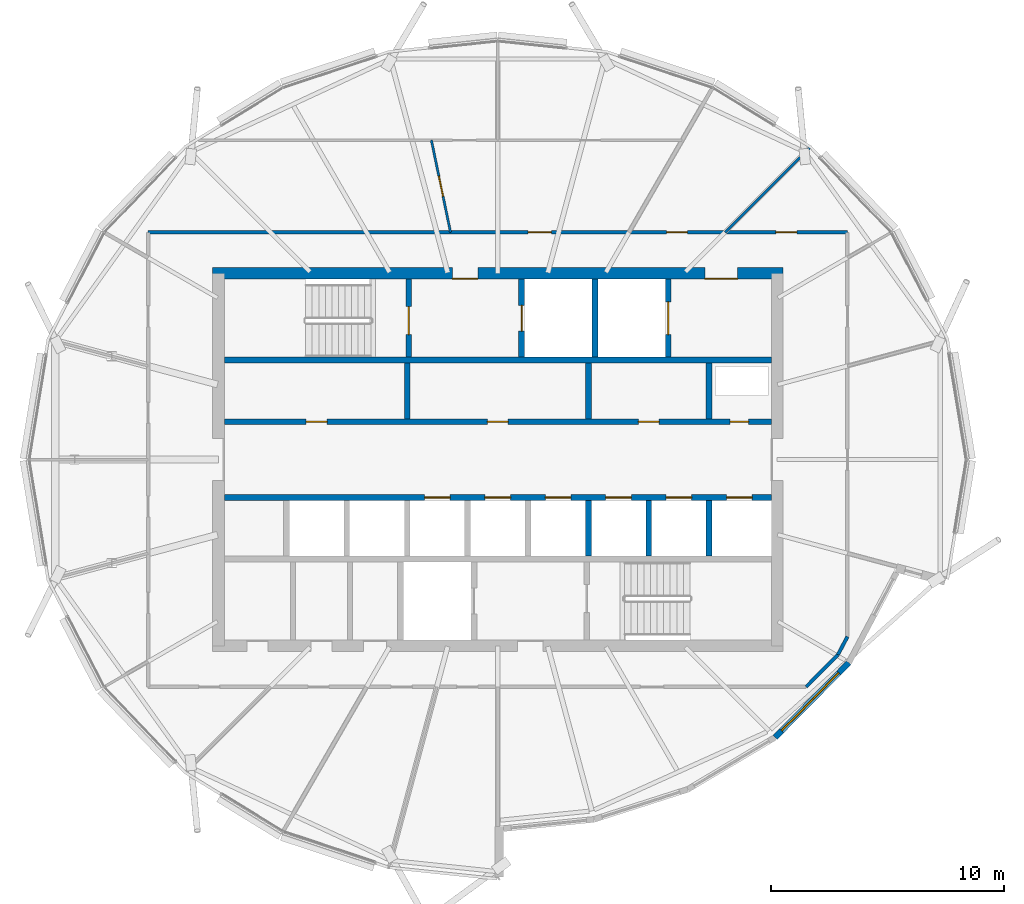
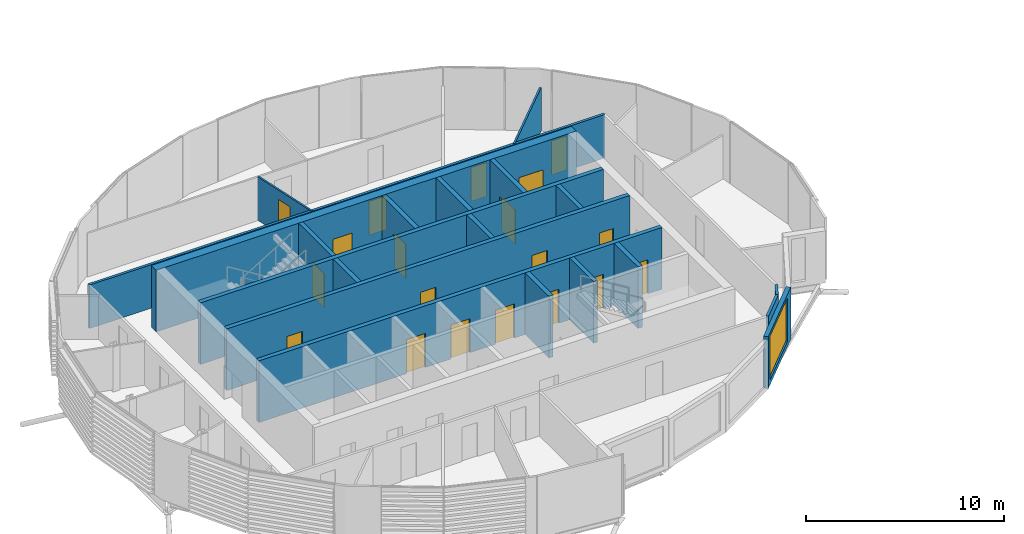
# One storey, part 17 of 34: 20 walls, 19 doors, 1 window, 20 openings.
"""IFC4 building model written with IfcOpenShell, lengths in metres."""

from ifc_helpers import new_model, si_unit, direction, frame, frame_2d, origin, place, context, subcontext, project, spatial, rectangle, extrude, material, layer, layer_set, type_object, element, fill, save


model = new_model("IFC4")

# Units and contexts
model_context = context("Model", 3, precision=1e-05, world=origin(), true_north=direction((0.0, 1.0)))
body_context = subcontext(model_context, "Body", "Model", "MODEL_VIEW")
ifc_project = project(units=[si_unit("LENGTHUNIT", "METRE"), si_unit("AREAUNIT", "SQUARE_METRE"), si_unit("VOLUMEUNIT", "CUBIC_METRE"), si_unit("PLANEANGLEUNIT", "RADIAN"), si_unit("MASSUNIT", "GRAM", prefix="KILO")], contexts=[model_context])

# Site, building, storey
site_placement = place(None, origin())
site = spatial("IfcSite", under=ifc_project, at=site_placement, CompositionType="ELEMENT")
building_placement = place(site_placement, origin())
building = spatial("IfcBuilding", under=site, at=building_placement, Name="Rimbun Link Towers", CompositionType="ELEMENT")
storey_placement = place(building_placement, frame((0.0, 0.0, 252.300048828125)))
storey = spatial("IfcBuildingStorey", under=building, at=storey_placement, Name="L62", CompositionType="ELEMENT", Elevation=252.300048828125)

# Wall, opening, window
ifc_material_1 = material(Name="Dark enamelled glass spandrel on insulated aluminium backpan", Category="aluminium")
ifc_layer_1 = layer(ifc_material_1, 0.25)
ifc_layer_set_1 = layer_set([ifc_layer_1], Name="CS dark enamelled spandrel wall 250")
wall_type_1 = type_object("IfcWallType", Name="CS dark enamelled spandrel wall 250", PredefinedType="STANDARD", material=ifc_layer_set_1)
wall_1_placement = place(storey_placement, frame((-16.668212890625, -8.723388671875, 0.0), z_axis=(0.0, 0.0, 1.0), x_axis=(-0.702165006789, -0.712014257751, 0.0)))
wall_1 = element("IfcWall", 1, at=wall_1_placement, inside=storey, type_object=wall_type_1, Name="Crease spandrel wall", PredefinedType="STANDARD", context=body_context, shape_type="SweptSolid", body=[
    extrude(rectangle(XDim=4.511474609375, YDim=0.25, at=frame_2d((2.255859375, 0.0))), origin(), (0.0, 0.0, 1.0), 3.20361328125),
])
opening_1_placement = place(wall_1_placement, frame((0.61767578125, 0.0, 0.300048828125)))
opening_1 = element("IfcOpeningElement", 2, at=opening_1_placement, cuts=wall_1, Name="Opening WR35H270", PredefinedType="OPENING", context=body_context, shape_type="SweptSolid", body=[
    extrude(rectangle(XDim=3.5, YDim=2.699951171875, at=frame_2d((1.75, 1.35009765625))), frame((0.0, 0.135009765625, 0.0), z_axis=(0.0, -1.0, 0.0), x_axis=(1.0, 0.0, 0.0)), (0.0, 0.0, 1.0), 0.27001953125),
])
ifc_material_2 = material(Name="Aluminium framed fixed window, dark tinted low-e glass", Category="aluminium")
window_type = type_object("IfcWindowType", Name="WR ribbon window 3500X2700", PartitioningType="SINGLE_PANEL", PredefinedType="WINDOW", material=ifc_material_2)
window_placement = place(opening_1_placement, origin())
window = element("IfcWindow", 3, at=window_placement, inside=storey, type_object=window_type, Name="Crease ribbon window", OverallHeight=2.699951171875, OverallWidth=3.5, PartitioningType="SINGLE_PANEL", PredefinedType="WINDOW", context=body_context, shape_type="SweptSolid", body=[
    extrude(rectangle(XDim=3.5, YDim=2.699951171875, at=frame_2d((1.75, 1.35009765625))), frame((0.0, 0.030029296875, 0.0), z_axis=(0.0, -1.0, 0.0), x_axis=(1.0, 0.0, 0.0)), (0.0, 0.0, 1.0), 0.06005859375),
])
fill(opening_1, window)

# Wall, openings, doors
ifc_material_3 = material(Name="Concrete C60/75", Category="concrete")
ifc_layer_2 = layer(ifc_material_3, 0.5)
ifc_layer_set_2 = layer_set([ifc_layer_2], Name="Core shear wall 500")
wall_type_2 = type_object("IfcWallType", Name="Core shear wall 500", PredefinedType="SHEAR", material=ifc_layer_set_2)
wall_2_placement = place(storey_placement, frame((-44.0, 8.0, 0.0), z_axis=(0.0, 0.0, 1.0), x_axis=(1.0, 0.0, 0.0)))
wall_2 = element("IfcWall", 4, at=wall_2_placement, inside=storey, type_object=wall_type_2, Name="L62 T1 core wall N", PredefinedType="SHEAR", context=body_context, shape_type="SweptSolid", body=[
    extrude(rectangle(XDim=24.5, YDim=0.5, at=frame_2d((12.25, 0.0))), origin(), (0.0, 0.0, 1.0), 3.800048828125),
])
opening_2_placement = place(wall_2_placement, frame((10.300048828125, 0.0, 0.0)))
opening_2 = element("IfcOpeningElement", 5, at=opening_2_placement, cuts=wall_2, Name="Opening C1DCF01N", PredefinedType="OPENING", context=body_context, shape_type="SweptSolid", body=[
    extrude(rectangle(XDim=1.10009765625, YDim=2.10009765625, at=frame_2d((0.550048828125, 1.050048828125))), frame((0.0, 0.260009765625, 0.0), z_axis=(0.0, -1.0, 0.0), x_axis=(1.0, 0.0, 0.0)), (0.0, 0.0, 1.0), 0.52001953125),
])
opening_3_placement = place(wall_2_placement, frame((21.14990234375, 0.0, 0.0)))
opening_3 = element("IfcOpeningElement", 6, at=opening_3_placement, cuts=wall_2, Name="Opening C1DSL02N", PredefinedType="OPENING", context=body_context, shape_type="SweptSolid", body=[
    extrude(rectangle(XDim=1.39990234375, YDim=2.10009765625, at=frame_2d((0.699951171875, 1.050048828125))), frame((0.0, 0.260009765625, 0.0), z_axis=(0.0, -1.0, 0.0), x_axis=(1.0, 0.0, 0.0)), (0.0, 0.0, 1.0), 0.52001953125),
])
ifc_material_4 = material(Name="Steel fire door set", Category="steel")
door_type_1 = type_object("IfcDoorType", Name="Core fire door single", OperationType="SINGLE_SWING_LEFT", PredefinedType="DOOR", material=ifc_material_4)
door_1_placement = place(opening_2_placement, origin())
door_1 = element("IfcDoor", 7, at=door_1_placement, inside=storey, type_object=door_type_1, Name="L62 T1 firefighting lobby n door", OperationType="SINGLE_SWING_LEFT", OverallHeight=2.10009765625, OverallWidth=1.10009765625, PredefinedType="DOOR", context=body_context, shape_type="SweptSolid", body=[
    extrude(rectangle(XDim=1.10009765625, YDim=2.10009765625, at=frame_2d((0.550048828125, 1.050048828125))), frame((0.0, -0.2001953125, 0.0), z_axis=(0.0, -1.0, 0.0), x_axis=(1.0, 0.0, 0.0)), (0.0, 0.0, 1.0), 0.050048828125),
])
fill(opening_2, door_1)
ifc_material_5 = material(Name="Steel fire door set", Category="steel")
door_type_2 = type_object("IfcDoorType", Name="Service lobby door double", OperationType="DOUBLE_DOOR_SINGLE_SWING", PredefinedType="DOOR", material=ifc_material_5)
door_2_placement = place(opening_3_placement, origin())
door_2 = element("IfcDoor", 8, at=door_2_placement, inside=storey, type_object=door_type_2, Name="L62 T1 service lobby door", OperationType="DOUBLE_DOOR_SINGLE_SWING", OverallHeight=2.10009765625, OverallWidth=1.39990234375, PredefinedType="DOOR", context=body_context, shape_type="SweptSolid", body=[
    extrude(rectangle(XDim=1.39990234375, YDim=2.10009765625, at=frame_2d((0.699951171875, 1.050048828125))), frame((0.0, -0.2001953125, 0.0), z_axis=(0.0, -1.0, 0.0), x_axis=(1.0, 0.0, 0.0)), (0.0, 0.0, 1.0), 0.050048828125),
])
fill(opening_3, door_2)

ifc_material_6 = material(Name="Plasterboard on steel stud, mineral wool", Category="steel")
ifc_layer_3 = layer(ifc_material_6, 0.14990234375)
ifc_layer_set_3 = layer_set([ifc_layer_3], Name="Corridor wall EI 30 150 mm")
wall_type_3 = type_object("IfcWallType", Name="Corridor wall EI 30 150 mm", PredefinedType="PARTITIONING", material=ifc_layer_set_3)
wall_3_placement = place(storey_placement, frame((-46.77490234375, 9.764892578125, 0.0), z_axis=(0.0, 0.0, 1.0), x_axis=(1.0, 0.0, 0.0)))
wall_3 = element("IfcWall", 9, at=wall_3_placement, inside=storey, type_object=wall_type_3, Name="Corridor wall EI 30 150 mm", PredefinedType="PARTITIONING", context=body_context, shape_type="SweptSolid", body=[
    extrude(rectangle(XDim=30.0498046875, YDim=0.14990234375, at=frame_2d((15.02490234375, 0.0))), origin(), (0.0, 0.0, 1.0), 2.681884765625),
])
opening_4_placement = place(wall_3_placement, frame((26.969970703125, 0.0, 0.0)))
opening_4 = element("IfcOpeningElement", 10, at=opening_4_placement, cuts=wall_3, Name="Opening D02", PredefinedType="OPENING", context=body_context, shape_type="SweptSolid", body=[
    extrude(rectangle(XDim=0.89990234375, YDim=2.10009765625, at=frame_2d((0.449951171875, 1.050048828125))), frame((0.0, 0.0849609375, 0.0), z_axis=(0.0, -1.0, 0.0), x_axis=(1.0, 0.0, 0.0)), (0.0, 0.0, 1.0), 0.169921875),
])
opening_5_placement = place(wall_3_placement, frame((22.2763671875, 0.0, 0.0)))
opening_5 = element("IfcOpeningElement", 11, at=opening_5_placement, cuts=wall_3, Name="Opening D02", PredefinedType="OPENING", context=body_context, shape_type="SweptSolid", body=[
    extrude(rectangle(XDim=0.89990234375, YDim=2.10009765625, at=frame_2d((0.449951171875, 1.050048828125))), frame((0.0, 0.0849609375, 0.0), z_axis=(0.0, -1.0, 0.0), x_axis=(1.0, 0.0, 0.0)), (0.0, 0.0, 1.0), 0.169921875),
])
opening_6_placement = place(wall_3_placement, frame((16.32958984375, 0.0, 0.0)))
opening_6 = element("IfcOpeningElement", 12, at=opening_6_placement, cuts=wall_3, Name="Opening D01", PredefinedType="OPENING", context=body_context, shape_type="SweptSolid", body=[
    extrude(rectangle(XDim=1.0, YDim=2.10009765625, at=frame_2d((0.5, 1.050048828125))), frame((0.0, 0.0849609375, 0.0), z_axis=(0.0, -1.0, 0.0), x_axis=(1.0, 0.0, 0.0)), (0.0, 0.0, 1.0), 0.169921875),
])
ifc_material_7 = material(Name="Fire-resisting timber door leaf", Category="wood")
door_type_3 = type_object("IfcDoorType", Name="Fire door FD30S 1000", OperationType="NOTDEFINED", PredefinedType="DOOR", material=ifc_material_7)
door_3_placement = place(opening_6_placement, origin())
door_3 = element("IfcDoor", 13, at=door_3_placement, inside=storey, type_object=door_type_3, Name="Fire door FD30S 1000 to Reception", OperationType="SINGLE_SWING_LEFT", OverallHeight=2.10009765625, OverallWidth=1.0, PredefinedType="DOOR", context=body_context, shape_type="SweptSolid", body=[
    extrude(rectangle(XDim=1.0, YDim=2.10009765625, at=frame_2d((0.5, 1.050048828125))), frame((0.0, 0.02490234375, 0.0), z_axis=(0.0, -1.0, 0.0), x_axis=(1.0, 0.0, 0.0)), (0.0, 0.0, 1.0), 0.050048828125),
])
fill(opening_6, door_3)
ifc_material_8 = material(Name="Fire-resisting timber door leaf", Category="wood")
door_type_4 = type_object("IfcDoorType", Name="Fire door FD30S 900", OperationType="NOTDEFINED", PredefinedType="DOOR", material=ifc_material_8)
door_4_placement = place(opening_4_placement, origin())
door_4 = element("IfcDoor", 14, at=door_4_placement, inside=storey, type_object=door_type_4, Name="Fire door FD30S 900 to Pantry", OperationType="SINGLE_SWING_LEFT", OverallHeight=2.10009765625, OverallWidth=0.89990234375, PredefinedType="DOOR", context=body_context, shape_type="SweptSolid", body=[
    extrude(rectangle(XDim=0.89990234375, YDim=2.10009765625, at=frame_2d((0.449951171875, 1.050048828125))), frame((0.0, 0.02490234375, 0.0), z_axis=(0.0, -1.0, 0.0), x_axis=(1.0, 0.0, 0.0)), (0.0, 0.0, 1.0), 0.050048828125),
])
fill(opening_4, door_4)
door_5_placement = place(opening_5_placement, origin())
door_5 = element("IfcDoor", 15, at=door_5_placement, inside=storey, type_object=door_type_4, Name="Fire door FD30S 900 to Boardroom", OperationType="SINGLE_SWING_RIGHT", OverallHeight=2.10009765625, OverallWidth=0.89990234375, PredefinedType="DOOR", context=body_context, shape_type="SweptSolid", body=[
    extrude(rectangle(XDim=0.89990234375, YDim=2.10009765625, at=frame_2d((0.449951171875, 1.050048828125))), frame((0.0, 0.02490234375, 0.0), z_axis=(0.0, -1.0, 0.0), x_axis=(1.0, 0.0, 0.0)), (0.0, 0.0, 1.0), 0.050048828125),
])
fill(opening_5, door_5)

# Walls
wall_4_placement = place(storey_placement, frame((-17.13671875, -8.37939453125, 0.0), z_axis=(0.0, 0.0, 1.0), x_axis=(0.468884089089, 0.88325970756, 0.0)))
element("IfcWall", 16, at=wall_4_placement, inside=storey, type_object=wall_type_3, Name="Corridor wall EI 30 150 mm", PredefinedType="PARTITIONING", context=body_context, shape_type="SweptSolid", body=[
    extrude(rectangle(XDim=0.8779296875, YDim=0.14990234375, at=frame_2d((0.43896484375, 0.0))), origin(), (0.0, 0.0, 1.0), 2.681884765625),
])
wall_5_placement = place(storey_placement, frame((-18.5029296875, -9.764892578125, 0.0), z_axis=(0.0, 0.0, 1.0), x_axis=(0.702133324826, 0.712045500069, 0.0)))
element("IfcWall", 17, at=wall_5_placement, inside=storey, type_object=wall_type_3, Name="Corridor wall EI 30 150 mm", PredefinedType="PARTITIONING", context=body_context, shape_type="SweptSolid", body=[
    extrude(rectangle(XDim=1.94580078125, YDim=0.14990234375, at=frame_2d((0.972900390625, 0.0))), origin(), (0.0, 0.0, 1.0), 2.681884765625),
])
ifc_material_9 = material(Name="Plasterboard on steel stud", Category="steel")
ifc_layer_4 = layer(ifc_material_9, 0.10009765625)
ifc_layer_set_4 = layer_set([ifc_layer_4], Name="Plasterboard partition 100 mm")
wall_type_4 = type_object("IfcWallType", Name="Plasterboard partition 100 mm", PredefinedType="PARTITIONING", material=ifc_layer_set_4)
wall_6_placement = place(storey_placement, frame((-18.35791015625, 13.39208984375, 0.0), z_axis=(0.0, 0.0, 1.0), x_axis=(-0.707106781187, -0.707106781187, 0.0)))
element("IfcWall", 18, at=wall_6_placement, inside=storey, type_object=wall_type_4, Name="Plasterboard partition 100 mm", PredefinedType="PARTITIONING", context=body_context, shape_type="SweptSolid", body=[
    extrude(rectangle(XDim=5.129638671875, YDim=0.10009765625, at=frame_2d((2.56494140625, 0.0))), origin(), (0.0, 0.0, 1.0), 2.681884765625),
])

# Wall, opening, door
wall_7_placement = place(storey_placement, frame((-33.77880859375, 9.764892578125, 0.0), z_axis=(0.0, 0.0, 1.0), x_axis=(-0.203411890202, 0.979093255479, 0.0)))
wall_7 = element("IfcWall", 19, at=wall_7_placement, inside=storey, type_object=wall_type_4, Name="Plasterboard partition 100 mm", PredefinedType="PARTITIONING", context=body_context, shape_type="SweptSolid", body=[
    extrude(rectangle(XDim=4.044677734375, YDim=0.10009765625, at=frame_2d((2.0224609375, 0.0))), origin(), (0.0, 0.0, 1.0), 2.681884765625),
])
opening_7_placement = place(wall_7_placement, frame((1.572265625, 0.0, 0.0)))
opening_7 = element("IfcOpeningElement", 20, at=opening_7_placement, cuts=wall_7, Name="Opening D04", PredefinedType="OPENING", context=body_context, shape_type="SweptSolid", body=[
    extrude(rectangle(XDim=0.89990234375, YDim=2.10009765625, at=frame_2d((0.449951171875, 1.050048828125))), frame((0.0, 0.06005859375, 0.0), z_axis=(0.0, -1.0, 0.0), x_axis=(1.0, 0.0, 0.0)), (0.0, 0.0, 1.0), 0.1201171875),
])
ifc_material_10 = material(Name="Timber door leaf", Category="wood")
door_type_5 = type_object("IfcDoorType", Name="Flush door 900", OperationType="NOTDEFINED", PredefinedType="DOOR", material=ifc_material_10)
door_6_placement = place(opening_7_placement, origin())
door_6 = element("IfcDoor", 21, at=door_6_placement, inside=storey, type_object=door_type_5, Name="Flush door 900 to Meeting room", OperationType="SINGLE_SWING_LEFT", OverallHeight=2.10009765625, OverallWidth=0.89990234375, PredefinedType="DOOR", context=body_context, shape_type="SweptSolid", body=[
    extrude(rectangle(XDim=0.89990234375, YDim=2.10009765625, at=frame_2d((0.449951171875, 1.050048828125))), frame((0.0, 0.02490234375, 0.0), z_axis=(0.0, -1.0, 0.0), x_axis=(1.0, 0.0, 0.0)), (0.0, 0.0, 1.0), 0.050048828125),
])
fill(opening_7, door_6)

# Wall
ifc_material_11 = material(Name="Concrete C60/75", Category="concrete")
ifc_layer_5 = layer(ifc_material_11, 0.25)
ifc_layer_set_5 = layer_set([ifc_layer_5], Name="Shaft wall 250")
wall_type_5 = type_object("IfcWallType", Name="Shaft wall 250", PredefinedType="SHEAR", material=ifc_layer_set_5)
wall_8_placement = place(storey_placement, frame((-43.5, 4.27490234375, 0.0), z_axis=(0.0, 0.0, 1.0), x_axis=(1.0, 0.0, 0.0)))
element("IfcWall", 22, at=wall_8_placement, inside=storey, type_object=wall_type_5, Name="L62 T1 core wall BN", PredefinedType="SHEAR", context=body_context, shape_type="SweptSolid", body=[
    extrude(rectangle(XDim=23.5, YDim=0.25, at=frame_2d((11.75, 0.0))), origin(), (0.0, 0.0, 1.0), 3.800048828125),
])

# Wall, openings, doors
wall_9_placement = place(storey_placement, frame((-43.5, 1.625, 0.0), z_axis=(0.0, 0.0, 1.0), x_axis=(1.0, 0.0, 0.0)))
wall_9 = element("IfcWall", 23, at=wall_9_placement, inside=storey, type_object=wall_type_5, Name="L62 T1 core wall FN", PredefinedType="SHEAR", context=body_context, shape_type="SweptSolid", body=[
    extrude(rectangle(XDim=23.5, YDim=0.25, at=frame_2d((11.75, 0.0))), origin(), (0.0, 0.0, 1.0), 3.800048828125),
])
opening_8_placement = place(wall_9_placement, frame((3.5166015625, 0.0, 0.0)))
opening_8 = element("IfcOpeningElement", 24, at=opening_8_placement, cuts=wall_9, Name="Opening C1DRS01FN", PredefinedType="OPENING", context=body_context, shape_type="SweptSolid", body=[
    extrude(rectangle(XDim=0.89990234375, YDim=2.10009765625, at=frame_2d((0.449951171875, 1.050048828125))), frame((0.0, 0.135009765625, 0.0), z_axis=(0.0, -1.0, 0.0), x_axis=(1.0, 0.0, 0.0)), (0.0, 0.0, 1.0), 0.27001953125),
])
opening_9_placement = place(wall_9_placement, frame((11.300048828125, 0.0, 0.0)))
opening_9 = element("IfcOpeningElement", 25, at=opening_9_placement, cuts=wall_9, Name="Opening C1DRS02FN", PredefinedType="OPENING", context=body_context, shape_type="SweptSolid", body=[
    extrude(rectangle(XDim=0.89990234375, YDim=2.10009765625, at=frame_2d((0.449951171875, 1.050048828125))), frame((0.0, 0.135009765625, 0.0), z_axis=(0.0, -1.0, 0.0), x_axis=(1.0, 0.0, 0.0)), (0.0, 0.0, 1.0), 0.27001953125),
])
opening_10_placement = place(wall_9_placement, frame((17.7861328125, 0.0, 0.0)))
opening_10 = element("IfcOpeningElement", 26, at=opening_10_placement, cuts=wall_9, Name="Opening C1DRS03FN", PredefinedType="OPENING", context=body_context, shape_type="SweptSolid", body=[
    extrude(rectangle(XDim=0.89990234375, YDim=2.10009765625, at=frame_2d((0.449951171875, 1.050048828125))), frame((0.0, 0.135009765625, 0.0), z_axis=(0.0, -1.0, 0.0), x_axis=(1.0, 0.0, 0.0)), (0.0, 0.0, 1.0), 0.27001953125),
])
opening_11_placement = place(wall_9_placement, frame((21.727783203125, 0.0, 0.0)))
opening_11 = element("IfcOpeningElement", 27, at=opening_11_placement, cuts=wall_9, Name="Opening C1DRA04FN", PredefinedType="OPENING", context=body_context, shape_type="SweptSolid", body=[
    extrude(rectangle(XDim=0.800048828125, YDim=2.10009765625, at=frame_2d((0.39990234375, 1.050048828125))), frame((0.0, 0.135009765625, 0.0), z_axis=(0.0, -1.0, 0.0), x_axis=(1.0, 0.0, 0.0)), (0.0, 0.0, 1.0), 0.27001953125),
])
ifc_material_12 = material(Name="Steel fire door set", Category="steel")
door_type_6 = type_object("IfcDoorType", Name="Core riser door", OperationType="SINGLE_SWING_LEFT", PredefinedType="DOOR", material=ifc_material_12)
door_7_placement = place(opening_8_placement, origin())
door_7 = element("IfcDoor", 28, at=door_7_placement, inside=storey, type_object=door_type_6, Name="L62 T1 plant room door", OperationType="SINGLE_SWING_LEFT", OverallHeight=2.10009765625, OverallWidth=0.89990234375, PredefinedType="DOOR", context=body_context, shape_type="SweptSolid", body=[
    extrude(rectangle(XDim=0.89990234375, YDim=2.10009765625, at=frame_2d((0.449951171875, 1.050048828125))), frame((0.0, 0.02490234375, 0.0), z_axis=(0.0, -1.0, 0.0), x_axis=(1.0, 0.0, 0.0)), (0.0, 0.0, 1.0), 0.050048828125),
])
fill(opening_8, door_7)
door_8_placement = place(opening_9_placement, origin())
door_8 = element("IfcDoor", 29, at=door_8_placement, inside=storey, type_object=door_type_6, Name="L62 T1 wellness room door", OperationType="SINGLE_SWING_LEFT", OverallHeight=2.10009765625, OverallWidth=0.89990234375, PredefinedType="DOOR", context=body_context, shape_type="SweptSolid", body=[
    extrude(rectangle(XDim=0.89990234375, YDim=2.10009765625, at=frame_2d((0.449951171875, 1.050048828125))), frame((0.0, 0.02490234375, 0.0), z_axis=(0.0, -1.0, 0.0), x_axis=(1.0, 0.0, 0.0)), (0.0, 0.0, 1.0), 0.050048828125),
])
fill(opening_9, door_8)
door_9_placement = place(opening_10_placement, origin())
door_9 = element("IfcDoor", 30, at=door_9_placement, inside=storey, type_object=door_type_6, Name="L62 T1 pantry door", OperationType="SINGLE_SWING_LEFT", OverallHeight=2.10009765625, OverallWidth=0.89990234375, PredefinedType="DOOR", context=body_context, shape_type="SweptSolid", body=[
    extrude(rectangle(XDim=0.89990234375, YDim=2.10009765625, at=frame_2d((0.449951171875, 1.050048828125))), frame((0.0, 0.02490234375, 0.0), z_axis=(0.0, -1.0, 0.0), x_axis=(1.0, 0.0, 0.0)), (0.0, 0.0, 1.0), 0.050048828125),
])
fill(opening_10, door_9)
ifc_material_13 = material(Name="Steel fire door set", Category="steel")
door_type_7 = type_object("IfcDoorType", Name="Riser access door 800 x 2100", OperationType="SINGLE_SWING_LEFT", PredefinedType="DOOR", material=ifc_material_13)
door_10_placement = place(opening_11_placement, origin())
door_10 = element("IfcDoor", 31, at=door_10_placement, inside=storey, type_object=door_type_7, Name="L62 T1 riser cupboard door", OperationType="SINGLE_SWING_LEFT", OverallHeight=2.10009765625, OverallWidth=0.800048828125, PredefinedType="DOOR", context=body_context, shape_type="SweptSolid", body=[
    extrude(rectangle(XDim=0.800048828125, YDim=2.10009765625, at=frame_2d((0.39990234375, 1.050048828125))), frame((0.0, 0.02490234375, 0.0), z_axis=(0.0, -1.0, 0.0), x_axis=(1.0, 0.0, 0.0)), (0.0, 0.0, 1.0), 0.050048828125),
])
fill(opening_11, door_10)

wall_10_placement = place(storey_placement, frame((-43.5, -1.625, 0.0), z_axis=(0.0, 0.0, 1.0), x_axis=(1.0, 0.0, 0.0)))
wall_10 = element("IfcWall", 32, at=wall_10_placement, inside=storey, type_object=wall_type_5, Name="L62 T1 core wall FS", PredefinedType="SHEAR", context=body_context, shape_type="SweptSolid", body=[
    extrude(rectangle(XDim=23.5, YDim=0.25, at=frame_2d((11.75, 0.0))), origin(), (0.0, 0.0, 1.0), 3.800048828125),
])
opening_12_placement = place(wall_10_placement, frame((8.605712890625, 0.0, 0.0)))
opening_12 = element("IfcOpeningElement", 33, at=opening_12_placement, cuts=wall_10, Name="Opening LD-T1-HR1", PredefinedType="OPENING", context=body_context, shape_type="SweptSolid", body=[
    extrude(rectangle(XDim=1.10009765625, YDim=2.10009765625, at=frame_2d((0.550048828125, 1.050048828125))), frame((0.0, 0.135009765625, 0.0), z_axis=(0.0, -1.0, 0.0), x_axis=(1.0, 0.0, 0.0)), (0.0, 0.0, 1.0), 0.27001953125),
])
opening_13_placement = place(wall_10_placement, frame((11.199951171875, 0.0, 0.0)))
opening_13 = element("IfcOpeningElement", 34, at=opening_13_placement, cuts=wall_10, Name="Opening LD-T1-HR2", PredefinedType="OPENING", context=body_context, shape_type="SweptSolid", body=[
    extrude(rectangle(XDim=1.10009765625, YDim=2.10009765625, at=frame_2d((0.550048828125, 1.050048828125))), frame((0.0, 0.135009765625, 0.0), z_axis=(0.0, -1.0, 0.0), x_axis=(1.0, 0.0, 0.0)), (0.0, 0.0, 1.0), 0.27001953125),
])
opening_14_placement = place(wall_10_placement, frame((13.79443359375, 0.0, 0.0)))
opening_14 = element("IfcOpeningElement", 35, at=opening_14_placement, cuts=wall_10, Name="Opening LD-T1-HR3", PredefinedType="OPENING", context=body_context, shape_type="SweptSolid", body=[
    extrude(rectangle(XDim=1.10009765625, YDim=2.10009765625, at=frame_2d((0.550048828125, 1.050048828125))), frame((0.0, 0.135009765625, 0.0), z_axis=(0.0, -1.0, 0.0), x_axis=(1.0, 0.0, 0.0)), (0.0, 0.0, 1.0), 0.27001953125),
])
opening_15_placement = place(wall_10_placement, frame((16.388916015625, 0.0, 0.0)))
opening_15 = element("IfcOpeningElement", 36, at=opening_15_placement, cuts=wall_10, Name="Opening LD-T1-HR4", PredefinedType="OPENING", context=body_context, shape_type="SweptSolid", body=[
    extrude(rectangle(XDim=1.10009765625, YDim=2.10009765625, at=frame_2d((0.550048828125, 1.050048828125))), frame((0.0, 0.135009765625, 0.0), z_axis=(0.0, -1.0, 0.0), x_axis=(1.0, 0.0, 0.0)), (0.0, 0.0, 1.0), 0.27001953125),
])
opening_16_placement = place(wall_10_placement, frame((18.9833984375, 0.0, 0.0)))
opening_16 = element("IfcOpeningElement", 37, at=opening_16_placement, cuts=wall_10, Name="Opening LD-T1-HR5", PredefinedType="OPENING", context=body_context, shape_type="SweptSolid", body=[
    extrude(rectangle(XDim=1.10009765625, YDim=2.10009765625, at=frame_2d((0.550048828125, 1.050048828125))), frame((0.0, 0.135009765625, 0.0), z_axis=(0.0, -1.0, 0.0), x_axis=(1.0, 0.0, 0.0)), (0.0, 0.0, 1.0), 0.27001953125),
])
opening_17_placement = place(wall_10_placement, frame((21.577880859375, 0.0, 0.0)))
opening_17 = element("IfcOpeningElement", 38, at=opening_17_placement, cuts=wall_10, Name="Opening LD-T1-HR6", PredefinedType="OPENING", context=body_context, shape_type="SweptSolid", body=[
    extrude(rectangle(XDim=1.10009765625, YDim=2.10009765625, at=frame_2d((0.550048828125, 1.050048828125))), frame((0.0, 0.135009765625, 0.0), z_axis=(0.0, -1.0, 0.0), x_axis=(1.0, 0.0, 0.0)), (0.0, 0.0, 1.0), 0.27001953125),
])
ifc_material_14 = material(Name="Stainless steel grade 316", Category="steel")
door_type_8 = type_object("IfcDoorType", Name="Lift landing door", OperationType="DOUBLE_DOOR_SLIDING", PredefinedType="DOOR", material=ifc_material_14)
door_11_placement = place(opening_12_placement, origin())
door_11 = element("IfcDoor", 39, at=door_11_placement, inside=storey, type_object=door_type_8, Name="L62 T1 lift HR1 landing door", OperationType="DOUBLE_DOOR_SLIDING", OverallHeight=2.10009765625, OverallWidth=1.10009765625, PredefinedType="DOOR", context=body_context, shape_type="SweptSolid", body=[
    extrude(rectangle(XDim=1.10009765625, YDim=2.10009765625, at=frame_2d((0.550048828125, 1.050048828125))), frame((0.0, 0.02490234375, 0.0), z_axis=(0.0, -1.0, 0.0), x_axis=(1.0, 0.0, 0.0)), (0.0, 0.0, 1.0), 0.050048828125),
])
fill(opening_12, door_11)
door_12_placement = place(opening_13_placement, origin())
door_12 = element("IfcDoor", 40, at=door_12_placement, inside=storey, type_object=door_type_8, Name="L62 T1 lift HR2 landing door", OperationType="DOUBLE_DOOR_SLIDING", OverallHeight=2.10009765625, OverallWidth=1.10009765625, PredefinedType="DOOR", context=body_context, shape_type="SweptSolid", body=[
    extrude(rectangle(XDim=1.10009765625, YDim=2.10009765625, at=frame_2d((0.550048828125, 1.050048828125))), frame((0.0, 0.02490234375, 0.0), z_axis=(0.0, -1.0, 0.0), x_axis=(1.0, 0.0, 0.0)), (0.0, 0.0, 1.0), 0.050048828125),
])
fill(opening_13, door_12)
door_13_placement = place(opening_14_placement, origin())
door_13 = element("IfcDoor", 41, at=door_13_placement, inside=storey, type_object=door_type_8, Name="L62 T1 lift HR3 landing door", OperationType="DOUBLE_DOOR_SLIDING", OverallHeight=2.10009765625, OverallWidth=1.10009765625, PredefinedType="DOOR", context=body_context, shape_type="SweptSolid", body=[
    extrude(rectangle(XDim=1.10009765625, YDim=2.10009765625, at=frame_2d((0.550048828125, 1.050048828125))), frame((0.0, 0.02490234375, 0.0), z_axis=(0.0, -1.0, 0.0), x_axis=(1.0, 0.0, 0.0)), (0.0, 0.0, 1.0), 0.050048828125),
])
fill(opening_14, door_13)
door_14_placement = place(opening_15_placement, origin())
door_14 = element("IfcDoor", 42, at=door_14_placement, inside=storey, type_object=door_type_8, Name="L62 T1 lift HR4 landing door", OperationType="DOUBLE_DOOR_SLIDING", OverallHeight=2.10009765625, OverallWidth=1.10009765625, PredefinedType="DOOR", context=body_context, shape_type="SweptSolid", body=[
    extrude(rectangle(XDim=1.10009765625, YDim=2.10009765625, at=frame_2d((0.550048828125, 1.050048828125))), frame((0.0, 0.02490234375, 0.0), z_axis=(0.0, -1.0, 0.0), x_axis=(1.0, 0.0, 0.0)), (0.0, 0.0, 1.0), 0.050048828125),
])
fill(opening_15, door_14)
door_15_placement = place(opening_16_placement, origin())
door_15 = element("IfcDoor", 43, at=door_15_placement, inside=storey, type_object=door_type_8, Name="L62 T1 lift HR5 landing door", OperationType="DOUBLE_DOOR_SLIDING", OverallHeight=2.10009765625, OverallWidth=1.10009765625, PredefinedType="DOOR", context=body_context, shape_type="SweptSolid", body=[
    extrude(rectangle(XDim=1.10009765625, YDim=2.10009765625, at=frame_2d((0.550048828125, 1.050048828125))), frame((0.0, 0.02490234375, 0.0), z_axis=(0.0, -1.0, 0.0), x_axis=(1.0, 0.0, 0.0)), (0.0, 0.0, 1.0), 0.050048828125),
])
fill(opening_16, door_15)
door_16_placement = place(opening_17_placement, origin())
door_16 = element("IfcDoor", 44, at=door_16_placement, inside=storey, type_object=door_type_8, Name="L62 T1 lift HR6 landing door", OperationType="DOUBLE_DOOR_SLIDING", OverallHeight=2.10009765625, OverallWidth=1.10009765625, PredefinedType="DOOR", context=body_context, shape_type="SweptSolid", body=[
    extrude(rectangle(XDim=1.10009765625, YDim=2.10009765625, at=frame_2d((0.550048828125, 1.050048828125))), frame((0.0, 0.02490234375, 0.0), z_axis=(0.0, -1.0, 0.0), x_axis=(1.0, 0.0, 0.0)), (0.0, 0.0, 1.0), 0.050048828125),
])
fill(opening_17, door_16)

# Walls
for number, where, z_axis, x_axis, name in (
    (45, (-35.6416015625, 1.75, 0.0), (0.0, 0.0, 1.0), (0.0, 1.0, 0.0), "L62 T1 core wall DN2"),
    (46, (-27.8583984375, 1.75, 0.0), (0.0, 0.0, 1.0), (0.0, 1.0, 0.0), "L62 T1 core wall DN5"),
    (47, (-22.66943359375, 1.75, 0.0), (0.0, 0.0, 1.0), (0.0, 1.0, 0.0), "L62 T1 core wall DN7"),
    (48, (-27.8583984375, -4.14990234375, 0.0), (0.0, 0.0, 1.0), (0.0, 1.0, 0.0), "L62 T1 core wall DS5"),
    (49, (-25.263916015625, -4.14990234375, 0.0), (0.0, 0.0, 1.0), (0.0, 1.0, 0.0), "L62 T1 core wall DS6"),
    (50, (-22.66943359375, -4.14990234375, 0.0), (0.0, 0.0, 1.0), (0.0, 1.0, 0.0), "L62 T1 core wall DS7"),
):
    element("IfcWall", number, at=place(storey_placement, frame(where, z_axis=z_axis, x_axis=x_axis)), inside=storey, type_object=wall_type_5, Name=name, PredefinedType="SHEAR", context=body_context, shape_type="SweptSolid", body=[
        extrude(rectangle(XDim=2.39990234375, YDim=0.25, at=frame_2d((1.199951171875, 0.0))), origin(), (0.0, 0.0, 1.0), 3.800048828125),
    ])

# Wall, opening, door
wall_11_placement = place(storey_placement, frame((-35.574951171875, 4.39990234375, 0.0), z_axis=(0.0, 0.0, 1.0), x_axis=(0.0, 1.0, 0.0)))
wall_11 = element("IfcWall", 51, at=wall_11_placement, inside=storey, type_object=wall_type_5, Name="L62 T1 core wall A1", PredefinedType="SHEAR", context=body_context, shape_type="SweptSolid", body=[
    extrude(rectangle(XDim=3.35009765625, YDim=0.25, at=frame_2d((1.675048828125, 0.0))), origin(), (0.0, 0.0, 1.0), 3.800048828125),
])
opening_18_placement = place(wall_11_placement, frame((0.97509765625, 0.0, 0.0)))
opening_18 = element("IfcOpeningElement", 52, at=opening_18_placement, cuts=wall_11, Name="Opening C1DST01A1", PredefinedType="OPENING", context=body_context, shape_type="SweptSolid", body=[
    extrude(rectangle(XDim=1.199951171875, YDim=2.10009765625, at=frame_2d((0.60009765625, 1.050048828125))), frame((0.0, 0.135009765625, 0.0), z_axis=(0.0, -1.0, 0.0), x_axis=(1.0, 0.0, 0.0)), (0.0, 0.0, 1.0), 0.27001953125),
])
ifc_material_15 = material(Name="Steel fire door set", Category="steel")
door_type_9 = type_object("IfcDoorType", Name="Stair door", OperationType="SINGLE_SWING_LEFT", PredefinedType="DOOR", material=ifc_material_15)
door_17_placement = place(opening_18_placement, origin())
door_17 = element("IfcDoor", 53, at=door_17_placement, inside=storey, type_object=door_type_9, Name="L62 T1 stair a door", OperationType="SINGLE_SWING_RIGHT", OverallHeight=2.10009765625, OverallWidth=1.199951171875, PredefinedType="DOOR", context=body_context, shape_type="SweptSolid", body=[
    extrude(rectangle(XDim=1.199951171875, YDim=2.10009765625, at=frame_2d((0.60009765625, 1.050048828125))), frame((0.0, 0.02490234375, 0.0), z_axis=(0.0, -1.0, 0.0), x_axis=(1.0, 0.0, 0.0)), (0.0, 0.0, 1.0), 0.050048828125),
])
fill(opening_18, door_17)

wall_12_placement = place(storey_placement, frame((-30.72509765625, 4.39990234375, 0.0), z_axis=(0.0, 0.0, 1.0), x_axis=(0.0, 1.0, 0.0)))
wall_12 = element("IfcWall", 54, at=wall_12_placement, inside=storey, type_object=wall_type_5, Name="L62 T1 core wall A2", PredefinedType="SHEAR", context=body_context, shape_type="SweptSolid", body=[
    extrude(rectangle(XDim=3.35009765625, YDim=0.25, at=frame_2d((1.675048828125, 0.0))), origin(), (0.0, 0.0, 1.0), 3.800048828125),
])
opening_19_placement = place(wall_12_placement, frame((1.125, 0.0, 0.0)))
opening_19 = element("IfcOpeningElement", 55, at=opening_19_placement, cuts=wall_12, Name="Opening LD-T1-FF1", PredefinedType="OPENING", context=body_context, shape_type="SweptSolid", body=[
    extrude(rectangle(XDim=1.10009765625, YDim=2.10009765625, at=frame_2d((0.550048828125, 1.050048828125))), frame((0.0, 0.135009765625, 0.0), z_axis=(0.0, -1.0, 0.0), x_axis=(1.0, 0.0, 0.0)), (0.0, 0.0, 1.0), 0.27001953125),
])
door_18_placement = place(opening_19_placement, origin())
door_18 = element("IfcDoor", 56, at=door_18_placement, inside=storey, type_object=door_type_8, Name="L62 T1 lift FF1 landing door", OperationType="DOUBLE_DOOR_SLIDING", OverallHeight=2.10009765625, OverallWidth=1.10009765625, PredefinedType="DOOR", context=body_context, shape_type="SweptSolid", body=[
    extrude(rectangle(XDim=1.10009765625, YDim=2.10009765625, at=frame_2d((0.550048828125, 1.050048828125))), frame((0.0, 0.02490234375, 0.0), z_axis=(0.0, -1.0, 0.0), x_axis=(1.0, 0.0, 0.0)), (0.0, 0.0, 1.0), 0.050048828125),
])
fill(opening_19, door_18)

# Wall
wall_13_placement = place(storey_placement, frame((-27.574951171875, 4.39990234375, 0.0), z_axis=(0.0, 0.0, 1.0), x_axis=(0.0, 1.0, 0.0)))
element("IfcWall", 57, at=wall_13_placement, inside=storey, type_object=wall_type_5, Name="L62 T1 core wall A3", PredefinedType="SHEAR", context=body_context, shape_type="SweptSolid", body=[
    extrude(rectangle(XDim=3.35009765625, YDim=0.25, at=frame_2d((1.675048828125, 0.0))), origin(), (0.0, 0.0, 1.0), 3.800048828125),
])

# Wall, opening, door
wall_14_placement = place(storey_placement, frame((-24.425048828125, 4.39990234375, 0.0), z_axis=(0.0, 0.0, 1.0), x_axis=(0.0, 1.0, 0.0)))
wall_14 = element("IfcWall", 58, at=wall_14_placement, inside=storey, type_object=wall_type_5, Name="L62 T1 core wall A4", PredefinedType="SHEAR", context=body_context, shape_type="SweptSolid", body=[
    extrude(rectangle(XDim=3.35009765625, YDim=0.25, at=frame_2d((1.675048828125, 0.0))), origin(), (0.0, 0.0, 1.0), 3.800048828125),
])
opening_20_placement = place(wall_14_placement, frame((0.97509765625, 0.0, 0.0)))
opening_20 = element("IfcOpeningElement", 59, at=opening_20_placement, cuts=wall_14, Name="Opening LD-T1-GL1", PredefinedType="OPENING", context=body_context, shape_type="SweptSolid", body=[
    extrude(rectangle(XDim=1.39990234375, YDim=2.10009765625, at=frame_2d((0.699951171875, 1.050048828125))), frame((0.0, 0.135009765625, 0.0), z_axis=(0.0, -1.0, 0.0), x_axis=(1.0, 0.0, 0.0)), (0.0, 0.0, 1.0), 0.27001953125),
])
ifc_material_16 = material(Name="Stainless steel grade 316", Category="steel")
door_type_10 = type_object("IfcDoorType", Name="Goods lift landing door", OperationType="DOUBLE_DOOR_SLIDING", PredefinedType="DOOR", material=ifc_material_16)
door_19_placement = place(opening_20_placement, origin())
door_19 = element("IfcDoor", 60, at=door_19_placement, inside=storey, type_object=door_type_10, Name="L62 T1 lift GL1 landing door", OperationType="DOUBLE_DOOR_SLIDING", OverallHeight=2.10009765625, OverallWidth=1.39990234375, PredefinedType="DOOR", context=body_context, shape_type="SweptSolid", body=[
    extrude(rectangle(XDim=1.39990234375, YDim=2.10009765625, at=frame_2d((0.699951171875, 1.050048828125))), frame((0.0, 0.02490234375, 0.0), z_axis=(0.0, -1.0, 0.0), x_axis=(1.0, 0.0, 0.0)), (0.0, 0.0, 1.0), 0.050048828125),
])
fill(opening_20, door_19)

save(model, "model.ifc")
